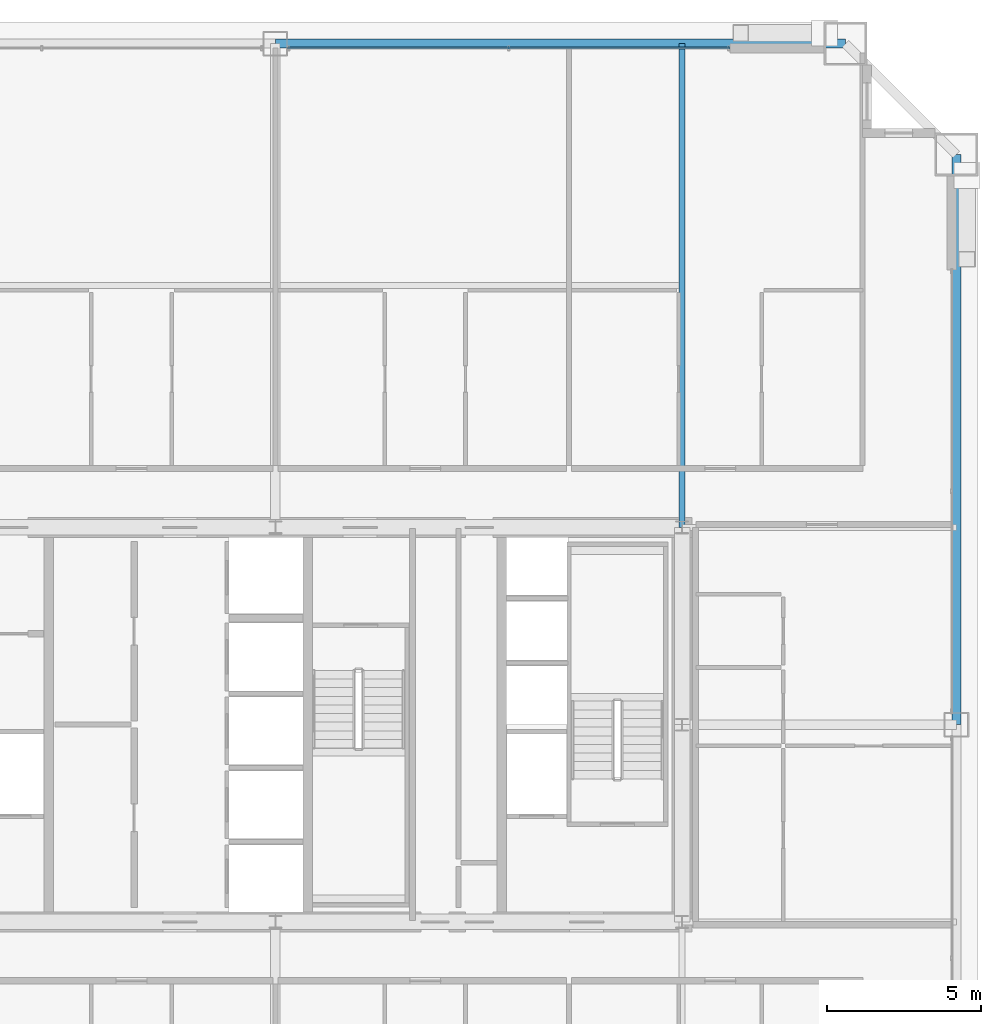
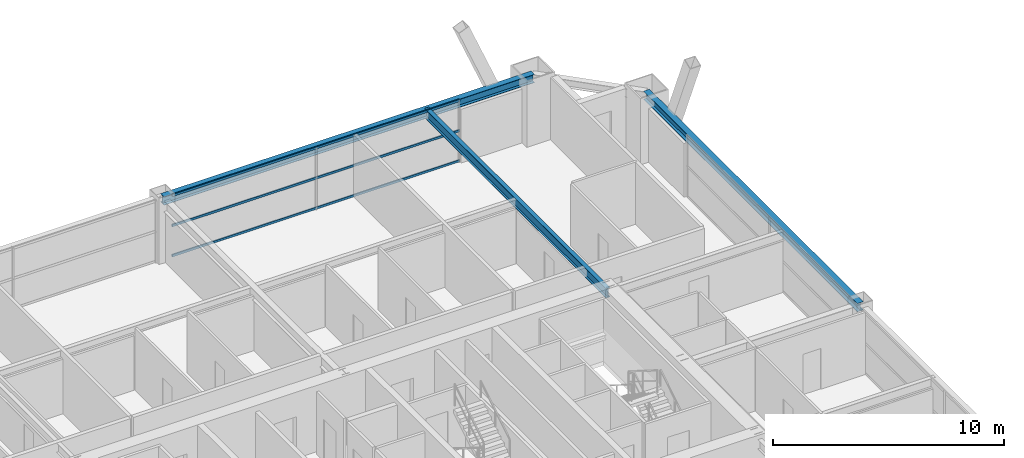
# One storey, part 34 of 42: 3 beams, 3 members, 1 element without a shape of its own.
"""IFC4 building model written with IfcOpenShell, lengths in metres."""

from ifc_helpers import new_model, si_unit, direction, frame, origin, origin_2d, place, context, subcontext, project, spatial, hollow_rectangle, i_section, extrude, source, transform, mapped, material, layer, layer_set, material_profile, profile_set, type_object, element, aggregate, save


model = new_model("IFC4")

# Units and contexts
model_context = context("Model", 3, precision=1e-05, world=origin(), true_north=direction((0.0, 1.0)))
body_context = subcontext(model_context, "Body", "Model", "MODEL_VIEW")
ifc_project = project(units=[si_unit("LENGTHUNIT", "METRE"), si_unit("AREAUNIT", "SQUARE_METRE"), si_unit("VOLUMEUNIT", "CUBIC_METRE"), si_unit("PLANEANGLEUNIT", "RADIAN"), si_unit("MASSUNIT", "GRAM", prefix="KILO"), si_unit("THERMODYNAMICTEMPERATUREUNIT", "KELVIN"), si_unit("POWERUNIT", "WATT")], contexts=[model_context])

# Site, building, storey
site_placement = place(None, origin())
site = spatial("IfcSite", under=ifc_project, at=site_placement, CompositionType="ELEMENT")
building_placement = place(site_placement, origin())
building = spatial("IfcBuilding", under=site, at=building_placement, Name="Yuzanri Waterfront Tower", CompositionType="ELEMENT")
storey_placement = place(building_placement, frame((0.0, 0.0, 184.5)))
storey = spatial("IfcBuildingStorey", under=building, at=storey_placement, Name="L48", CompositionType="ELEMENT", Elevation=184.5)

# Beams
ifc_material_1 = material(Name="Steel Q355B", Category="steel")
ifc_material_profile_1 = material_profile(ifc_material_1, i_section(OverallWidth=0.300048828125, OverallDepth=0.43994140625, WebThickness=0.010986328125, FlangeThickness=0.01806640625, at=origin_2d()), Name="HM 440x300x11x18")
ifc_profile_set_1 = profile_set([ifc_material_profile_1], Name="Steel Q355B")
beam_type_1 = type_object("IfcBeamType", Name="Perimeter Spandrel Q355B HM 440x300", PredefinedType="SPANDREL", material=ifc_profile_set_1)
shared_shape_1 = source(origin(), body_context, "Body", "SweptSolid", [
    extrude(i_section(OverallWidth=0.300048828125, OverallDepth=0.43994140625, WebThickness=0.010986328125, FlangeThickness=0.01806640625, at=origin_2d()), origin(), (0.0, 0.0, 1.0), 18.5),
])
for number, where, z_axis, x_axis, name in (
    (1, (59.10009765625, 25.800048828125, 3.06005859375), (0.0, 1.0, 0.0), (-1.0, 0.0, 0.0), "L48 Perimeter Spandrel E2-E3"),
    (2, (55.5, 47.89990234375, 3.06005859375), (-1.0, 0.0, 0.0), (0.0, -1.0, 0.0), "L48 Perimeter Spandrel N3-N2"),
):
    element("IfcBeam", number, at=place(storey_placement, frame(where, z_axis=z_axis, x_axis=x_axis)), inside=storey, type_object=beam_type_1, Name=name, PredefinedType="SPANDREL", context=body_context, shape_type="MappedRepresentation", body=[
        mapped(shared_shape_1, transform((0.0, 0.0, 0.0), scale=1.0)),
    ])
ifc_material_2 = material(Name="Steel Q355B", Category="steel")
ifc_material_profile_2 = material_profile(ifc_material_2, i_section(OverallWidth=0.199951171875, OverallDepth=0.5, WebThickness=0.010009765625, FlangeThickness=0.01611328125, at=origin_2d()), Name="HN 500x200x10x16")
ifc_profile_set_2 = profile_set([ifc_material_profile_2], Name="Steel Q355B")
beam_type_2 = type_object("IfcBeamType", Name="Secondary Floor Beam Q355B HN 500x200", PredefinedType="BEAM", material=ifc_profile_set_2)
shared_shape_2 = source(origin(), body_context, "Body", "SweptSolid", [
    extrude(i_section(OverallWidth=0.199951171875, OverallDepth=0.5, WebThickness=0.010009765625, FlangeThickness=0.01611328125, at=origin_2d()), origin(), (0.0, 0.0, 1.0), 15.699951171875),
])
beam_placement = place(storey_placement, frame((50.199951171875, 32.199951171875, 3.030029296875), z_axis=(0.0, 1.0, 0.0), x_axis=(-1.0, 0.0, 0.0)))
element("IfcBeam", 3, at=beam_placement, inside=storey, type_object=beam_type_2, Name="L48 North-East Core Line Beam", PredefinedType="BEAM", context=body_context, shape_type="MappedRepresentation", body=[
    mapped(shared_shape_2, transform((0.0, 0.0, 0.0), scale=1.0)),
])

# Curtain wall, members
ifc_material_3 = material(Name="Anodized Architectural Bronze", Category="metal")
ifc_layer = layer(ifc_material_3, 0.159912109375)
ifc_layer_set = layer_set([ifc_layer], Name="Anodized Architectural Bronze")
curtain_wall_type = type_object("IfcCurtainWallType", Name="Anodized Bronze Mid-Rise Residential Acoustic Unitized Curtain Wall 7200", PredefinedType="NOTDEFINED", material=ifc_layer_set)
curtain_wall_placement = place(storey_placement, origin())
curtain_wall = element("IfcCurtainWall", 4, at=curtain_wall_placement, inside=storey, type_object=curtain_wall_type, Name="L48 Curtain Wall CW-L48-NR", PredefinedType="NOTDEFINED")
ifc_material_4 = material(Name="Anodized Architectural Bronze", Category="metal")
ifc_material_profile_3 = material_profile(ifc_material_4, hollow_rectangle(XDim=0.06494140625, YDim=0.1201171875, WallThickness=0.00341796875, at=origin_2d()), Name="CWT 65x120")
ifc_profile_set_3 = profile_set([ifc_material_profile_3], Name="Anodized Architectural Bronze")
member_type = type_object("IfcMemberType", Name="Anodized Bronze Secondary Curtain-Wall Transom 65x120", PredefinedType="USERDEFINED", material=ifc_profile_set_3)
shared_shape_3 = source(origin(), body_context, "Body", "SweptSolid", [
    extrude(hollow_rectangle(XDim=0.06494140625, YDim=0.1201171875, WallThickness=0.00341796875, at=origin_2d()), origin(), (0.0, 0.0, 1.0), 14.35009765625),
])
member_1_placement = place(storey_placement, frame((37.39990234375, 47.75, 0.050048828125), z_axis=(1.0, 0.0, 0.0), x_axis=(0.0, 1.0, 0.0)))
member_1 = element("IfcMember", 5, at=member_1_placement, type_object=member_type, Name="CW-L48-NR Transom 1", ObjectType="TRANSOM", PredefinedType="USERDEFINED", context=body_context, shape_type="MappedRepresentation", body=[
    mapped(shared_shape_3, transform((0.0, 0.0, 0.0), scale=1.0)),
])
member_2_placement = place(storey_placement, frame((37.39990234375, 47.75, 1.639892578125), z_axis=(1.0, 0.0, 0.0), x_axis=(0.0, 1.0, 0.0)))
member_2 = element("IfcMember", 6, at=member_2_placement, type_object=member_type, Name="CW-L48-NR Transom 2", ObjectType="TRANSOM", PredefinedType="USERDEFINED", context=body_context, shape_type="MappedRepresentation", body=[
    mapped(shared_shape_3, transform((0.0, 0.0, 0.0), scale=1.0)),
])
member_3_placement = place(storey_placement, frame((37.39990234375, 47.75, 3.22998046875), z_axis=(1.0, 0.0, 0.0), x_axis=(0.0, 1.0, 0.0)))
member_3 = element("IfcMember", 7, at=member_3_placement, type_object=member_type, Name="CW-L48-NR Transom 3", ObjectType="TRANSOM", PredefinedType="USERDEFINED", context=body_context, shape_type="MappedRepresentation", body=[
    mapped(shared_shape_3, transform((0.0, 0.0, 0.0), scale=1.0)),
])
aggregate(curtain_wall, [member_1, member_2, member_3])

save(model, "model.ifc")
